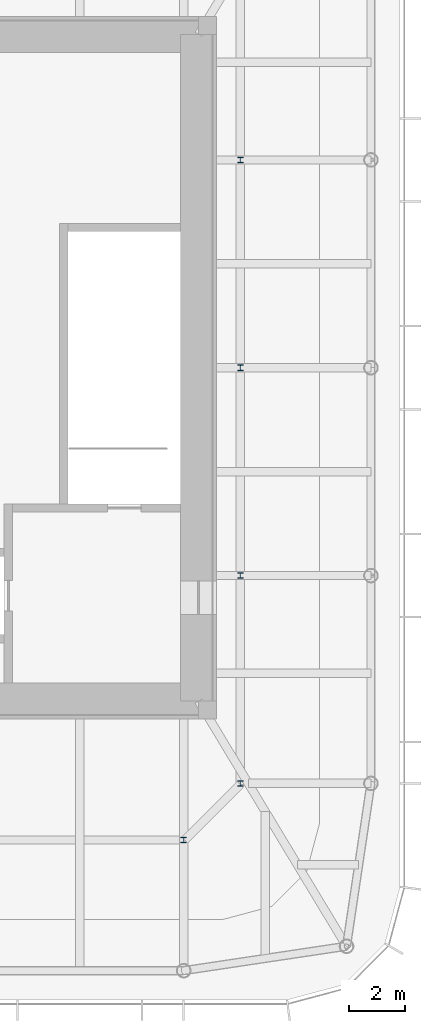
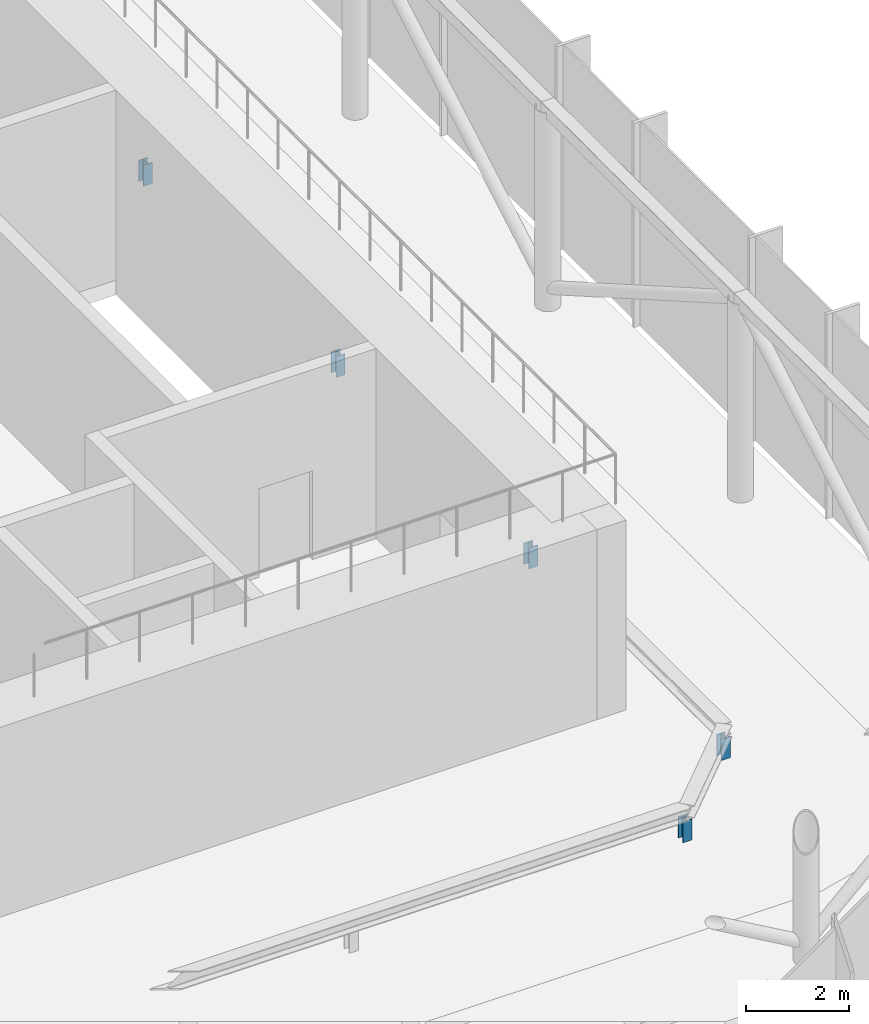
# One storey, part 7 of 12: 5 members.
"""IFC4 building model written with IfcOpenShell, lengths in metres."""

from ifc_helpers import new_model, si_unit, direction, frame, origin, origin_2d, place, context, subcontext, project, spatial, i_section, extrude, material, material_profile, profile_set, type_object, element, save


model = new_model("IFC4")

# Units and contexts
model_context = context("Model", 3, precision=1e-05, world=origin(), true_north=direction((0.0, 1.0)))
body_context = subcontext(model_context, "Body", "Model", "MODEL_VIEW")
ifc_project = project(units=[si_unit("LENGTHUNIT", "METRE"), si_unit("AREAUNIT", "SQUARE_METRE"), si_unit("VOLUMEUNIT", "CUBIC_METRE"), si_unit("PLANEANGLEUNIT", "RADIAN"), si_unit("MASSUNIT", "GRAM", prefix="KILO")], contexts=[model_context])

# Site, building, storey
site_placement = place(None, origin())
site = spatial("IfcSite", under=ifc_project, at=site_placement, CompositionType="ELEMENT")
building_placement = place(site_placement, origin())
building = spatial("IfcBuilding", under=site, at=building_placement, Name="Khuree Lantern Residences", CompositionType="ELEMENT")
storey_placement = place(building_placement, frame((0.0, 0.0, 363.25)))
storey = spatial("IfcBuildingStorey", under=building, at=storey_placement, Name="RF", CompositionType="ELEMENT", Elevation=363.25)

# Members
ifc_material = material(Name="Steel S355", Category="steel")
ifc_material_profile = material_profile(ifc_material, i_section(OverallWidth=0.199951171875, OverallDepth=0.199951171875, WebThickness=0.009033203125, FlangeThickness=0.014892578125, FilletRadius=0.01806640625, at=origin_2d()), Name="HE 200 B")
ifc_profile_set = profile_set([ifc_material_profile], Name="Steel S355")
member_type = type_object("IfcMemberType", Name="BM2 GANTRY TRACK PEDESTAL HE 200 B", PredefinedType="POST", material=ifc_profile_set)
for number, where, z_axis, x_axis, name in (
    (1, (14.9599609375, -17.0, 0.0), (0.0, 0.0, 1.0), (1.0, 0.0, 0.0), "Gantry track pedestal 5"),
    (2, (17.0, -14.9599609375, 0.0), (0.0, 0.0, 1.0), (1.0, 0.0, 0.0), "Gantry track pedestal 6"),
    (3, (17.0, -7.47998046875, 0.0), (0.0, 0.0, 1.0), (1.0, 0.0, 0.0), "Gantry track pedestal 7"),
    (4, (17.0, 0.0, 0.0), (0.0, 0.0, 1.0), (1.0, 0.0, 0.0), "Gantry track pedestal 8"),
    (5, (17.0, 7.47998046875, 0.0), (0.0, 0.0, 1.0), (1.0, 0.0, 0.0), "Gantry track pedestal 9"),
):
    element("IfcMember", number, at=place(storey_placement, frame(where, z_axis=z_axis, x_axis=x_axis)), inside=storey, type_object=member_type, Name=name, PredefinedType="POST", context=body_context, shape_type="SweptSolid", body=[
        extrude(i_section(OverallWidth=0.199951171875, OverallDepth=0.199951171875, WebThickness=0.009033203125, FlangeThickness=0.014892578125, FilletRadius=0.01806640625, at=origin_2d()), origin(), (0.0, 0.0, 1.0), 0.5),
    ])

save(model, "model.ifc")
